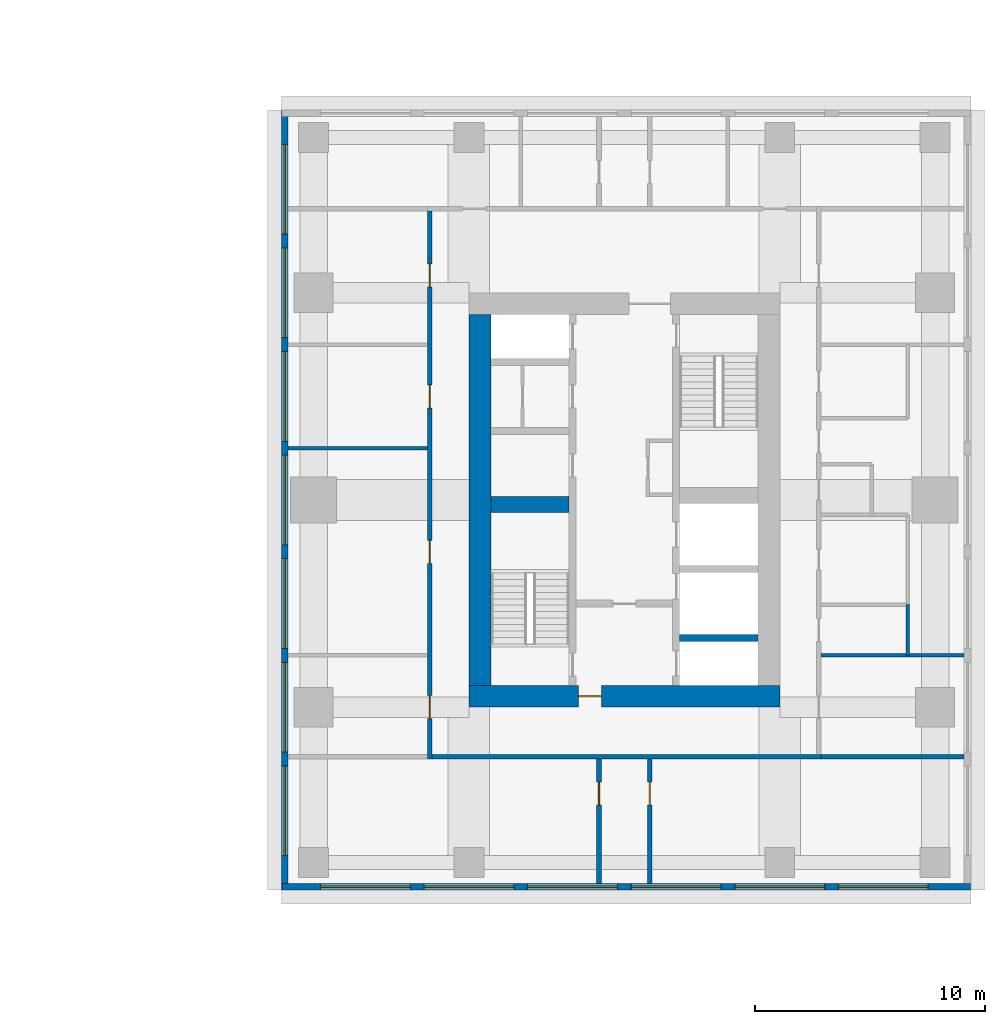
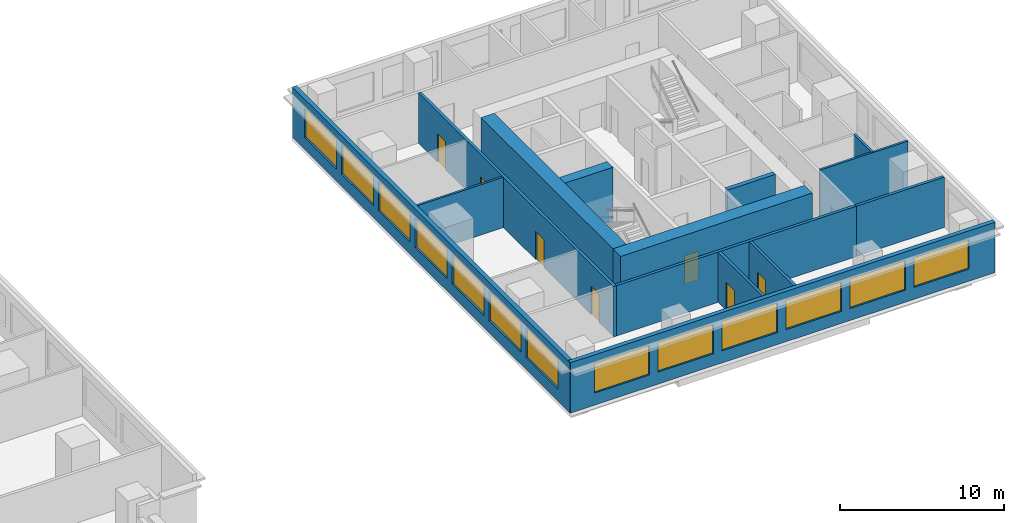
# One storey, part 6 of 11: 14 walls, 13 windows, 7 doors, 20 openings.
"""IFC4 building model written with IfcOpenShell, lengths in metres."""

from ifc_helpers import new_model, si_unit, direction, frame, frame_2d, origin, place, context, subcontext, project, spatial, rectangle, extrude, material, layer, layer_set, type_object, element, fill, save


model = new_model("IFC4")

# Units and contexts
model_context = context("Model", 3, precision=1e-05, world=origin(), true_north=direction((0.0, 1.0)))
body_context = subcontext(model_context, "Body", "Model", "MODEL_VIEW")
ifc_project = project(units=[si_unit("LENGTHUNIT", "METRE"), si_unit("AREAUNIT", "SQUARE_METRE"), si_unit("VOLUMEUNIT", "CUBIC_METRE"), si_unit("PLANEANGLEUNIT", "RADIAN"), si_unit("MASSUNIT", "GRAM", prefix="KILO")], contexts=[model_context])

# Site, building, storey
site_placement = place(None, origin())
site = spatial("IfcSite", under=ifc_project, at=site_placement, CompositionType="ELEMENT")
building_placement = place(site_placement, origin())
building = spatial("IfcBuilding", under=site, at=building_placement, Name="Namib Vertical Campus", CompositionType="ELEMENT")
storey_placement = place(building_placement, frame((0.0, 0.0, 221.0)))
storey = spatial("IfcBuildingStorey", under=building, at=storey_placement, Name="L52", CompositionType="ELEMENT", Elevation=221.0)

# Walls
ifc_material_1 = material(Name="Concrete C60/75", Category="concrete")
ifc_layer_1 = layer(ifc_material_1, 0.300048828125)
ifc_layer_set_1 = layer_set([ifc_layer_1], Name="Concrete C60/75")
wall_type_1 = type_object("IfcWallType", Name="Core inner wall 300", PredefinedType="SHEAR", material=ifc_layer_set_1)
wall_1_placement = place(storey_placement, frame((83.39990234375, 14.25, 0.0), z_axis=(0.0, 0.0, 1.0), x_axis=(1.0, 0.0, 0.0)))
element("IfcWall", 1, at=wall_1_placement, inside=storey, type_object=wall_type_1, Name="Core inner wall B L52 W5", PredefinedType="SHEAR", context=body_context, shape_type="SweptSolid", body=[
    extrude(rectangle(XDim=3.400146484375, YDim=0.300048828125, at=frame_2d((1.7001953125, 0.0))), origin(), (0.0, 0.0, 1.0), 4.0),
])
ifc_material_2 = material(Name="Concrete C60/75", Category="concrete")
ifc_layer_2 = layer(ifc_material_2, 0.699951171875)
ifc_layer_set_2 = layer_set([ifc_layer_2], Name="Concrete C60/75")
wall_type_2 = type_object("IfcWallType", Name="Core shear wall 700", PredefinedType="SHEAR", material=ifc_layer_set_2)
wall_2_placement = place(storey_placement, frame((75.199951171875, 20.050048828125, 0.0), z_axis=(0.0, 0.0, 1.0), x_axis=(1.0, 0.0, 0.0)))
element("IfcWall", 2, at=wall_2_placement, inside=storey, type_object=wall_type_2, Name="Core shear wall B L52 W3", PredefinedType="SHEAR", context=body_context, shape_type="SweptSolid", body=[
    extrude(rectangle(XDim=3.400146484375, YDim=0.699951171875, at=frame_2d((1.7001953125, 0.0))), origin(), (0.0, 0.0, 1.0), 4.0),
])

# Wall, opening, door
ifc_material_3 = material(Name="Concrete C60/75", Category="concrete")
ifc_layer_3 = layer(ifc_material_3, 0.949951171875)
ifc_layer_set_3 = layer_set([ifc_layer_3], Name="Concrete C60/75")
wall_type_3 = type_object("IfcWallType", Name="Core wall 950", PredefinedType="SHEAR", material=ifc_layer_set_3)
wall_3_placement = place(storey_placement, frame((74.25, 11.72509765625, 0.0), z_axis=(0.0, 0.0, 1.0), x_axis=(1.0, 0.0, 0.0)))
wall_3 = element("IfcWall", 3, at=wall_3_placement, inside=storey, type_object=wall_type_3, Name="Core wall B L52 1", PredefinedType="SHEAR", context=body_context, shape_type="SweptSolid", body=[
    extrude(rectangle(XDim=13.5, YDim=0.949951171875, at=frame_2d((6.75, 0.0))), origin(), (0.0, 0.0, 1.0), 4.0),
])
opening_1_placement = place(wall_3_placement, frame((4.75, 0.0, 0.0)))
opening_1 = element("IfcOpeningElement", 4, at=opening_1_placement, cuts=wall_3, Name="Opening FD5", PredefinedType="OPENING", context=body_context, shape_type="SweptSolid", body=[
    extrude(rectangle(XDim=1.0, YDim=2.10009765625, at=frame_2d((0.5, 1.050048828125))), frame((0.0, 0.48486328125, 0.0), z_axis=(0.0, -1.0, 0.0), x_axis=(1.0, 0.0, 0.0)), (0.0, 0.0, 1.0), 0.969970703125),
])
ifc_material_4 = material(Name="Steel fire door", Category="steel")
door_type_1 = type_object("IfcDoorType", Name="Fire door 1000x2100 120 min", OperationType="SINGLE_SWING_RIGHT", PredefinedType="DOOR", material=ifc_material_4)
door_1_placement = place(opening_1_placement, origin())
door_1 = element("IfcDoor", 5, at=door_1_placement, inside=storey, type_object=door_type_1, Name="Firefighting lobby door FD5 B L52", OperationType="SINGLE_SWING_LEFT", OverallHeight=2.10009765625, OverallWidth=1.0, PredefinedType="DOOR", context=body_context, shape_type="SweptSolid", body=[
    extrude(rectangle(XDim=1.0, YDim=2.10009765625, at=frame_2d((0.5, 1.050048828125))), frame((0.0, 0.02490234375, 0.0), z_axis=(0.0, -1.0, 0.0), x_axis=(1.0, 0.0, 0.0)), (0.0, 0.0, 1.0), 0.050048828125),
])
fill(opening_1, door_1)

# Walls
wall_4_placement = place(storey_placement, frame((74.72509765625, 28.300048828125, 0.0), z_axis=(0.0, 0.0, 1.0), x_axis=(0.0, -1.0, 0.0)))
element("IfcWall", 6, at=wall_4_placement, inside=storey, type_object=wall_type_3, Name="Core wall B L52 4", PredefinedType="SHEAR", context=body_context, shape_type="SweptSolid", body=[
    extrude(rectangle(XDim=16.10009765625, YDim=0.949951171875, at=frame_2d((8.050048828125, 0.0))), origin(), (0.0, 0.0, 1.0), 4.0),
])
ifc_material_5 = material(Name="Concrete masonry", Category="masonry")
ifc_layer_4 = layer(ifc_material_5, 0.199951171875)
ifc_layer_set_4 = layer_set([ifc_layer_4], Name="Corridor wall 200")
wall_type_4 = type_object("IfcWallType", Name="Corridor wall 200", PredefinedType="SOLIDWALL", material=ifc_layer_set_4)
wall_5_placement = place(storey_placement, frame((72.64990234375, 9.10009765625, 0.0), z_axis=(0.0, 0.0, 1.0), x_axis=(1.0, 0.0, 0.0)))
element("IfcWall", 7, at=wall_5_placement, inside=storey, type_object=wall_type_4, Name="Corridor wall B L52 CS", PredefinedType="SOLIDWALL", context=body_context, shape_type="SweptSolid", body=[
    extrude(rectangle(XDim=16.900146484375, YDim=0.199951171875, at=frame_2d((8.4501953125, 0.0))), origin(), (0.0, 0.0, 1.0), 3.75),
])

# Wall, openings, doors
wall_6_placement = place(storey_placement, frame((72.550048828125, 32.800048828125, 0.0), z_axis=(0.0, 0.0, 1.0), x_axis=(0.0, -1.0, 0.0)))
wall_6 = element("IfcWall", 8, at=wall_6_placement, inside=storey, type_object=wall_type_4, Name="Corridor wall B L52 CW", PredefinedType="SOLIDWALL", context=body_context, shape_type="SweptSolid", body=[
    extrude(rectangle(XDim=23.800048828125, YDim=0.199951171875, at=frame_2d((11.89990234375, 0.0))), origin(), (0.0, 0.0, 1.0), 3.75),
])
opening_2_placement = place(wall_6_placement, frame((21.050048828125, 0.0, 0.0)))
opening_2 = element("IfcOpeningElement", 9, at=opening_2_placement, cuts=wall_6, Name="Opening CD1", PredefinedType="OPENING", context=body_context, shape_type="SweptSolid", body=[
    extrude(rectangle(XDim=1.0, YDim=2.10009765625, at=frame_2d((0.5, 1.050048828125))), frame((0.0, 0.10986328125, 0.0), z_axis=(0.0, -1.0, 0.0), x_axis=(1.0, 0.0, 0.0)), (0.0, 0.0, 1.0), 0.219970703125),
])
opening_3_placement = place(wall_6_placement, frame((14.300048828125, 0.0, 0.0)))
opening_3 = element("IfcOpeningElement", 10, at=opening_3_placement, cuts=wall_6, Name="Opening CD1", PredefinedType="OPENING", context=body_context, shape_type="SweptSolid", body=[
    extrude(rectangle(XDim=1.0, YDim=2.10009765625, at=frame_2d((0.5, 1.050048828125))), frame((0.0, 0.10986328125, 0.0), z_axis=(0.0, -1.0, 0.0), x_axis=(1.0, 0.0, 0.0)), (0.0, 0.0, 1.0), 0.219970703125),
])
opening_4_placement = place(wall_6_placement, frame((7.550048828125, 0.0, 0.0)))
opening_4 = element("IfcOpeningElement", 11, at=opening_4_placement, cuts=wall_6, Name="Opening CD1", PredefinedType="OPENING", context=body_context, shape_type="SweptSolid", body=[
    extrude(rectangle(XDim=1.0, YDim=2.10009765625, at=frame_2d((0.5, 1.050048828125))), frame((0.0, 0.10986328125, 0.0), z_axis=(0.0, -1.0, 0.0), x_axis=(1.0, 0.0, 0.0)), (0.0, 0.0, 1.0), 0.219970703125),
])
opening_5_placement = place(wall_6_placement, frame((2.300048828125, 0.0, 0.0)))
opening_5 = element("IfcOpeningElement", 12, at=opening_5_placement, cuts=wall_6, Name="Opening CD1", PredefinedType="OPENING", context=body_context, shape_type="SweptSolid", body=[
    extrude(rectangle(XDim=1.0, YDim=2.10009765625, at=frame_2d((0.5, 1.050048828125))), frame((0.0, 0.10986328125, 0.0), z_axis=(0.0, -1.0, 0.0), x_axis=(1.0, 0.0, 0.0)), (0.0, 0.0, 1.0), 0.219970703125),
])
ifc_material_6 = material(Name="Timber fire door leaf", Category="wood")
door_type_2 = type_object("IfcDoorType", Name="Corridor door 1000x2100 20 min", OperationType="SINGLE_SWING_LEFT", PredefinedType="DOOR", material=ifc_material_6)
door_2_placement = place(opening_2_placement, frame((1.0, 0.0, 0.0), z_axis=(0.0, 0.0, 1.0), x_axis=(-1.0, 0.0, 0.0)))
door_2 = element("IfcDoor", 13, at=door_2_placement, inside=storey, type_object=door_type_2, Name="Door CD1 B52-14", OperationType="SINGLE_SWING_RIGHT", OverallHeight=2.10009765625, OverallWidth=1.0, PredefinedType="DOOR", context=body_context, shape_type="SweptSolid", body=[
    extrude(rectangle(XDim=1.0, YDim=2.10009765625, at=frame_2d((0.5, 1.050048828125))), frame((0.0, 0.02490234375, 0.0), z_axis=(0.0, -1.0, 0.0), x_axis=(1.0, 0.0, 0.0)), (0.0, 0.0, 1.0), 0.050048828125),
])
fill(opening_2, door_2)
door_3_placement = place(opening_3_placement, frame((1.0, 0.0, 0.0), z_axis=(0.0, 0.0, 1.0), x_axis=(-1.0, 0.0, 0.0)))
door_3 = element("IfcDoor", 14, at=door_3_placement, inside=storey, type_object=door_type_2, Name="Door CD1 B52-15", OperationType="SINGLE_SWING_RIGHT", OverallHeight=2.10009765625, OverallWidth=1.0, PredefinedType="DOOR", context=body_context, shape_type="SweptSolid", body=[
    extrude(rectangle(XDim=1.0, YDim=2.10009765625, at=frame_2d((0.5, 1.050048828125))), frame((0.0, 0.02490234375, 0.0), z_axis=(0.0, -1.0, 0.0), x_axis=(1.0, 0.0, 0.0)), (0.0, 0.0, 1.0), 0.050048828125),
])
fill(opening_3, door_3)
door_4_placement = place(opening_4_placement, frame((1.0, 0.0, 0.0), z_axis=(0.0, 0.0, 1.0), x_axis=(-1.0, 0.0, 0.0)))
door_4 = element("IfcDoor", 15, at=door_4_placement, inside=storey, type_object=door_type_2, Name="Door CD1 B52-16", OperationType="SINGLE_SWING_RIGHT", OverallHeight=2.10009765625, OverallWidth=1.0, PredefinedType="DOOR", context=body_context, shape_type="SweptSolid", body=[
    extrude(rectangle(XDim=1.0, YDim=2.10009765625, at=frame_2d((0.5, 1.050048828125))), frame((0.0, 0.02490234375, 0.0), z_axis=(0.0, -1.0, 0.0), x_axis=(1.0, 0.0, 0.0)), (0.0, 0.0, 1.0), 0.050048828125),
])
fill(opening_4, door_4)
door_5_placement = place(opening_5_placement, frame((1.0, 0.0, 0.0), z_axis=(0.0, 0.0, 1.0), x_axis=(-1.0, 0.0, 0.0)))
door_5 = element("IfcDoor", 16, at=door_5_placement, inside=storey, type_object=door_type_2, Name="Door CD1 B52-17", OperationType="SINGLE_SWING_RIGHT", OverallHeight=2.10009765625, OverallWidth=1.0, PredefinedType="DOOR", context=body_context, shape_type="SweptSolid", body=[
    extrude(rectangle(XDim=1.0, YDim=2.10009765625, at=frame_2d((0.5, 1.050048828125))), frame((0.0, 0.02490234375, 0.0), z_axis=(0.0, -1.0, 0.0), x_axis=(1.0, 0.0, 0.0)), (0.0, 0.0, 1.0), 0.050048828125),
])
fill(opening_5, door_5)

# Wall, opening, door
wall_7_placement = place(storey_placement, frame((79.89990234375, 3.60009765625, 0.0), z_axis=(0.0, 0.0, 1.0), x_axis=(0.0, 1.0, 0.0)))
wall_7 = element("IfcWall", 17, at=wall_7_placement, inside=storey, type_object=wall_type_4, Name="Corridor wall B L52 SPS1", PredefinedType="SOLIDWALL", context=body_context, shape_type="SweptSolid", body=[
    extrude(rectangle(XDim=5.39990234375, YDim=0.199951171875, at=frame_2d((2.699951171875, 0.0))), origin(), (0.0, 0.0, 1.0), 3.75),
])
opening_6_placement = place(wall_7_placement, frame((3.39990234375, 0.0, 0.0)))
opening_6 = element("IfcOpeningElement", 18, at=opening_6_placement, cuts=wall_7, Name="Opening CD1", PredefinedType="OPENING", context=body_context, shape_type="SweptSolid", body=[
    extrude(rectangle(XDim=1.0, YDim=2.10009765625, at=frame_2d((0.5, 1.050048828125))), frame((0.0, 0.10986328125, 0.0), z_axis=(0.0, -1.0, 0.0), x_axis=(1.0, 0.0, 0.0)), (0.0, 0.0, 1.0), 0.219970703125),
])
door_6_placement = place(opening_6_placement, origin())
door_6 = element("IfcDoor", 19, at=door_6_placement, inside=storey, type_object=door_type_2, Name="Door CD1 B52-01", OperationType="SINGLE_SWING_RIGHT", OverallHeight=2.10009765625, OverallWidth=1.0, PredefinedType="DOOR", context=body_context, shape_type="SweptSolid", body=[
    extrude(rectangle(XDim=1.0, YDim=2.10009765625, at=frame_2d((0.5, 1.050048828125))), frame((0.0, 0.02490234375, 0.0), z_axis=(0.0, -1.0, 0.0), x_axis=(1.0, 0.0, 0.0)), (0.0, 0.0, 1.0), 0.050048828125),
])
fill(opening_6, door_6)

wall_8_placement = place(storey_placement, frame((82.10009765625, 9.0, 0.0), z_axis=(0.0, 0.0, 1.0), x_axis=(0.0, -1.0, 0.0)))
wall_8 = element("IfcWall", 20, at=wall_8_placement, inside=storey, type_object=wall_type_4, Name="Corridor wall B L52 SPS2", PredefinedType="SOLIDWALL", context=body_context, shape_type="SweptSolid", body=[
    extrude(rectangle(XDim=5.39990234375, YDim=0.199951171875, at=frame_2d((2.699951171875, 0.0))), origin(), (0.0, 0.0, 1.0), 3.75),
])
opening_7_placement = place(wall_8_placement, frame((1.0, 0.0, 0.0)))
opening_7 = element("IfcOpeningElement", 21, at=opening_7_placement, cuts=wall_8, Name="Opening CD1", PredefinedType="OPENING", context=body_context, shape_type="SweptSolid", body=[
    extrude(rectangle(XDim=1.0, YDim=2.10009765625, at=frame_2d((0.5, 1.050048828125))), frame((0.0, 0.10986328125, 0.0), z_axis=(0.0, -1.0, 0.0), x_axis=(1.0, 0.0, 0.0)), (0.0, 0.0, 1.0), 0.219970703125),
])
door_7_placement = place(opening_7_placement, origin())
door_7 = element("IfcDoor", 22, at=door_7_placement, inside=storey, type_object=door_type_2, Name="Door CD1 B52-02", OperationType="SINGLE_SWING_LEFT", OverallHeight=2.10009765625, OverallWidth=1.0, PredefinedType="DOOR", context=body_context, shape_type="SweptSolid", body=[
    extrude(rectangle(XDim=1.0, YDim=2.10009765625, at=frame_2d((0.5, 1.050048828125))), frame((0.0, 0.02490234375, 0.0), z_axis=(0.0, -1.0, 0.0), x_axis=(1.0, 0.0, 0.0)), (0.0, 0.0, 1.0), 0.050048828125),
])
fill(opening_7, door_7)

# Wall
wall_9_placement = place(storey_placement, frame((89.550048828125, 9.10009765625, 0.0), z_axis=(0.0, 0.0, 1.0), x_axis=(1.0, 0.0, 0.0)))
element("IfcWall", 23, at=wall_9_placement, inside=storey, type_object=wall_type_4, Name="Partition B L52 BSE", PredefinedType="SOLIDWALL", context=body_context, shape_type="SweptSolid", body=[
    extrude(rectangle(XDim=6.199951171875, YDim=0.199951171875, at=frame_2d((3.10009765625, 0.0))), origin(), (0.0, 0.0, 1.0), 3.75),
])

# Wall, openings, windows
ifc_material_7 = material(Name="Concrete C40/50", Category="concrete")
ifc_layer_5 = layer(ifc_material_7, 0.300048828125)
ifc_layer_set_5 = layer_set([ifc_layer_5], Name="Concrete C40/50")
wall_type_5 = type_object("IfcWallType", Name="External wall 300 board-marked concrete", PredefinedType="STANDARD", material=ifc_layer_set_5)
wall_10_placement = place(storey_placement, frame((66.1201171875, 3.449951171875, 0.0), z_axis=(0.0, 0.0, 1.0), x_axis=(1.0, 0.0, 0.0)))
wall_10 = element("IfcWall", 24, at=wall_10_placement, inside=storey, type_object=wall_type_5, Name="External wall L52 F01", PredefinedType="STANDARD", context=body_context, shape_type="SweptSolid", body=[
    extrude(rectangle(XDim=29.909912109375, YDim=0.300048828125, at=frame_2d((14.955078125, 0.0))), origin(), (0.0, 0.0, 1.0), 3.75),
])
opening_8_placement = place(wall_10_placement, frame((1.679931640625, 0.0, 0.89990234375)))
opening_8 = element("IfcOpeningElement", 25, at=opening_8_placement, cuts=wall_10, Name="Opening W1", PredefinedType="OPENING", context=body_context, shape_type="SweptSolid", body=[
    extrude(rectangle(XDim=3.89990234375, YDim=2.199951171875, at=frame_2d((1.949951171875, 1.10009765625))), frame((0.0, 0.159912109375, 0.0), z_axis=(0.0, -1.0, 0.0), x_axis=(1.0, 0.0, 0.0)), (0.0, 0.0, 1.0), 0.320068359375),
])
opening_9_placement = place(wall_10_placement, frame((6.179931640625, 0.0, 0.89990234375)))
opening_9 = element("IfcOpeningElement", 26, at=opening_9_placement, cuts=wall_10, Name="Opening W1", PredefinedType="OPENING", context=body_context, shape_type="SweptSolid", body=[
    extrude(rectangle(XDim=3.89990234375, YDim=2.199951171875, at=frame_2d((1.949951171875, 1.10009765625))), frame((0.0, 0.159912109375, 0.0), z_axis=(0.0, -1.0, 0.0), x_axis=(1.0, 0.0, 0.0)), (0.0, 0.0, 1.0), 0.320068359375),
])
opening_10_placement = place(wall_10_placement, frame((10.679931640625, 0.0, 0.89990234375)))
opening_10 = element("IfcOpeningElement", 27, at=opening_10_placement, cuts=wall_10, Name="Opening W1", PredefinedType="OPENING", context=body_context, shape_type="SweptSolid", body=[
    extrude(rectangle(XDim=3.89990234375, YDim=2.199951171875, at=frame_2d((1.949951171875, 1.10009765625))), frame((0.0, 0.159912109375, 0.0), z_axis=(0.0, -1.0, 0.0), x_axis=(1.0, 0.0, 0.0)), (0.0, 0.0, 1.0), 0.320068359375),
])
opening_11_placement = place(wall_10_placement, frame((15.179931640625, 0.0, 0.89990234375)))
opening_11 = element("IfcOpeningElement", 28, at=opening_11_placement, cuts=wall_10, Name="Opening W1", PredefinedType="OPENING", context=body_context, shape_type="SweptSolid", body=[
    extrude(rectangle(XDim=3.89990234375, YDim=2.199951171875, at=frame_2d((1.949951171875, 1.10009765625))), frame((0.0, 0.159912109375, 0.0), z_axis=(0.0, -1.0, 0.0), x_axis=(1.0, 0.0, 0.0)), (0.0, 0.0, 1.0), 0.320068359375),
])
opening_12_placement = place(wall_10_placement, frame((19.679931640625, 0.0, 0.89990234375)))
opening_12 = element("IfcOpeningElement", 29, at=opening_12_placement, cuts=wall_10, Name="Opening W1", PredefinedType="OPENING", context=body_context, shape_type="SweptSolid", body=[
    extrude(rectangle(XDim=3.89990234375, YDim=2.199951171875, at=frame_2d((1.949951171875, 1.10009765625))), frame((0.0, 0.159912109375, 0.0), z_axis=(0.0, -1.0, 0.0), x_axis=(1.0, 0.0, 0.0)), (0.0, 0.0, 1.0), 0.320068359375),
])
opening_13_placement = place(wall_10_placement, frame((24.179931640625, 0.0, 0.89990234375)))
opening_13 = element("IfcOpeningElement", 30, at=opening_13_placement, cuts=wall_10, Name="Opening W1", PredefinedType="OPENING", context=body_context, shape_type="SweptSolid", body=[
    extrude(rectangle(XDim=3.89990234375, YDim=2.199951171875, at=frame_2d((1.949951171875, 1.10009765625))), frame((0.0, 0.159912109375, 0.0), z_axis=(0.0, -1.0, 0.0), x_axis=(1.0, 0.0, 0.0)), (0.0, 0.0, 1.0), 0.320068359375),
])
ifc_material_8 = material(Name="Dark tinted glass in black aluminium frame", Category="aluminium")
window_type = type_object("IfcWindowType", Name="Ribbon window 3900x2200", PartitioningType="SINGLE_PANEL", PredefinedType="WINDOW", material=ifc_material_8)
window_1_placement = place(opening_8_placement, origin())
window_1 = element("IfcWindow", 31, at=window_1_placement, inside=storey, type_object=window_type, Name="Window W1 L52 F01-1", OverallHeight=2.199951171875, OverallWidth=3.89990234375, PartitioningType="SINGLE_PANEL", PredefinedType="WINDOW", context=body_context, shape_type="SweptSolid", body=[
    extrude(rectangle(XDim=3.89990234375, YDim=2.199951171875, at=frame_2d((1.949951171875, 1.10009765625))), frame((0.0, 0.030029296875, 0.0), z_axis=(0.0, -1.0, 0.0), x_axis=(1.0, 0.0, 0.0)), (0.0, 0.0, 1.0), 0.06005859375),
])
fill(opening_8, window_1)
window_2_placement = place(opening_9_placement, origin())
window_2 = element("IfcWindow", 32, at=window_2_placement, inside=storey, type_object=window_type, Name="Window W1 L52 F01-2", OverallHeight=2.199951171875, OverallWidth=3.89990234375, PartitioningType="SINGLE_PANEL", PredefinedType="WINDOW", context=body_context, shape_type="SweptSolid", body=[
    extrude(rectangle(XDim=3.89990234375, YDim=2.199951171875, at=frame_2d((1.949951171875, 1.10009765625))), frame((0.0, 0.030029296875, 0.0), z_axis=(0.0, -1.0, 0.0), x_axis=(1.0, 0.0, 0.0)), (0.0, 0.0, 1.0), 0.06005859375),
])
fill(opening_9, window_2)
window_3_placement = place(opening_10_placement, origin())
window_3 = element("IfcWindow", 33, at=window_3_placement, inside=storey, type_object=window_type, Name="Window W1 L52 F01-3", OverallHeight=2.199951171875, OverallWidth=3.89990234375, PartitioningType="SINGLE_PANEL", PredefinedType="WINDOW", context=body_context, shape_type="SweptSolid", body=[
    extrude(rectangle(XDim=3.89990234375, YDim=2.199951171875, at=frame_2d((1.949951171875, 1.10009765625))), frame((0.0, 0.030029296875, 0.0), z_axis=(0.0, -1.0, 0.0), x_axis=(1.0, 0.0, 0.0)), (0.0, 0.0, 1.0), 0.06005859375),
])
fill(opening_10, window_3)
window_4_placement = place(opening_11_placement, origin())
window_4 = element("IfcWindow", 34, at=window_4_placement, inside=storey, type_object=window_type, Name="Window W1 L52 F01-4", OverallHeight=2.199951171875, OverallWidth=3.89990234375, PartitioningType="SINGLE_PANEL", PredefinedType="WINDOW", context=body_context, shape_type="SweptSolid", body=[
    extrude(rectangle(XDim=3.89990234375, YDim=2.199951171875, at=frame_2d((1.949951171875, 1.10009765625))), frame((0.0, 0.030029296875, 0.0), z_axis=(0.0, -1.0, 0.0), x_axis=(1.0, 0.0, 0.0)), (0.0, 0.0, 1.0), 0.06005859375),
])
fill(opening_11, window_4)
window_5_placement = place(opening_12_placement, origin())
window_5 = element("IfcWindow", 35, at=window_5_placement, inside=storey, type_object=window_type, Name="Window W1 L52 F01-5", OverallHeight=2.199951171875, OverallWidth=3.89990234375, PartitioningType="SINGLE_PANEL", PredefinedType="WINDOW", context=body_context, shape_type="SweptSolid", body=[
    extrude(rectangle(XDim=3.89990234375, YDim=2.199951171875, at=frame_2d((1.949951171875, 1.10009765625))), frame((0.0, 0.030029296875, 0.0), z_axis=(0.0, -1.0, 0.0), x_axis=(1.0, 0.0, 0.0)), (0.0, 0.0, 1.0), 0.06005859375),
])
fill(opening_12, window_5)
window_6_placement = place(opening_13_placement, origin())
window_6 = element("IfcWindow", 36, at=window_6_placement, inside=storey, type_object=window_type, Name="Window W1 L52 F01-6", OverallHeight=2.199951171875, OverallWidth=3.89990234375, PartitioningType="SINGLE_PANEL", PredefinedType="WINDOW", context=body_context, shape_type="SweptSolid", body=[
    extrude(rectangle(XDim=3.89990234375, YDim=2.199951171875, at=frame_2d((1.949951171875, 1.10009765625))), frame((0.0, 0.030029296875, 0.0), z_axis=(0.0, -1.0, 0.0), x_axis=(1.0, 0.0, 0.0)), (0.0, 0.0, 1.0), 0.06005859375),
])
fill(opening_13, window_6)

wall_11_placement = place(storey_placement, frame((66.25, 37.179931640625, 0.0), z_axis=(0.0, 0.0, 1.0), x_axis=(0.0, -1.0, 0.0)))
wall_11 = element("IfcWall", 37, at=wall_11_placement, inside=storey, type_object=wall_type_5, Name="External wall L52 F04", PredefinedType="STANDARD", context=body_context, shape_type="SweptSolid", body=[
    extrude(rectangle(XDim=33.85986328125, YDim=0.300048828125, at=frame_2d((16.929931640625, 0.0))), origin(), (0.0, 0.0, 1.0), 3.75),
])
opening_14_placement = place(wall_11_placement, frame((28.47998046875, 0.0, 0.89990234375)))
opening_14 = element("IfcOpeningElement", 38, at=opening_14_placement, cuts=wall_11, Name="Opening W1", PredefinedType="OPENING", context=body_context, shape_type="SweptSolid", body=[
    extrude(rectangle(XDim=3.89990234375, YDim=2.199951171875, at=frame_2d((1.949951171875, 1.10009765625))), frame((0.0, 0.159912109375, 0.0), z_axis=(0.0, -1.0, 0.0), x_axis=(1.0, 0.0, 0.0)), (0.0, 0.0, 1.0), 0.320068359375),
])
opening_15_placement = place(wall_11_placement, frame((23.97998046875, 0.0, 0.89990234375)))
opening_15 = element("IfcOpeningElement", 39, at=opening_15_placement, cuts=wall_11, Name="Opening W1", PredefinedType="OPENING", context=body_context, shape_type="SweptSolid", body=[
    extrude(rectangle(XDim=3.89990234375, YDim=2.199951171875, at=frame_2d((1.949951171875, 1.10009765625))), frame((0.0, 0.159912109375, 0.0), z_axis=(0.0, -1.0, 0.0), x_axis=(1.0, 0.0, 0.0)), (0.0, 0.0, 1.0), 0.320068359375),
])
opening_16_placement = place(wall_11_placement, frame((19.47998046875, 0.0, 0.89990234375)))
opening_16 = element("IfcOpeningElement", 40, at=opening_16_placement, cuts=wall_11, Name="Opening W1", PredefinedType="OPENING", context=body_context, shape_type="SweptSolid", body=[
    extrude(rectangle(XDim=3.89990234375, YDim=2.199951171875, at=frame_2d((1.949951171875, 1.10009765625))), frame((0.0, 0.159912109375, 0.0), z_axis=(0.0, -1.0, 0.0), x_axis=(1.0, 0.0, 0.0)), (0.0, 0.0, 1.0), 0.320068359375),
])
opening_17_placement = place(wall_11_placement, frame((14.97998046875, 0.0, 0.89990234375)))
opening_17 = element("IfcOpeningElement", 41, at=opening_17_placement, cuts=wall_11, Name="Opening W1", PredefinedType="OPENING", context=body_context, shape_type="SweptSolid", body=[
    extrude(rectangle(XDim=3.89990234375, YDim=2.199951171875, at=frame_2d((1.949951171875, 1.10009765625))), frame((0.0, 0.159912109375, 0.0), z_axis=(0.0, -1.0, 0.0), x_axis=(1.0, 0.0, 0.0)), (0.0, 0.0, 1.0), 0.320068359375),
])
opening_18_placement = place(wall_11_placement, frame((10.47998046875, 0.0, 0.89990234375)))
opening_18 = element("IfcOpeningElement", 42, at=opening_18_placement, cuts=wall_11, Name="Opening W1", PredefinedType="OPENING", context=body_context, shape_type="SweptSolid", body=[
    extrude(rectangle(XDim=3.89990234375, YDim=2.199951171875, at=frame_2d((1.949951171875, 1.10009765625))), frame((0.0, 0.159912109375, 0.0), z_axis=(0.0, -1.0, 0.0), x_axis=(1.0, 0.0, 0.0)), (0.0, 0.0, 1.0), 0.320068359375),
])
opening_19_placement = place(wall_11_placement, frame((5.97998046875, 0.0, 0.89990234375)))
opening_19 = element("IfcOpeningElement", 43, at=opening_19_placement, cuts=wall_11, Name="Opening W1", PredefinedType="OPENING", context=body_context, shape_type="SweptSolid", body=[
    extrude(rectangle(XDim=3.89990234375, YDim=2.199951171875, at=frame_2d((1.949951171875, 1.10009765625))), frame((0.0, 0.159912109375, 0.0), z_axis=(0.0, -1.0, 0.0), x_axis=(1.0, 0.0, 0.0)), (0.0, 0.0, 1.0), 0.320068359375),
])
opening_20_placement = place(wall_11_placement, frame((1.47998046875, 0.0, 0.89990234375)))
opening_20 = element("IfcOpeningElement", 44, at=opening_20_placement, cuts=wall_11, Name="Opening W1", PredefinedType="OPENING", context=body_context, shape_type="SweptSolid", body=[
    extrude(rectangle(XDim=3.89990234375, YDim=2.199951171875, at=frame_2d((1.949951171875, 1.10009765625))), frame((0.0, 0.159912109375, 0.0), z_axis=(0.0, -1.0, 0.0), x_axis=(1.0, 0.0, 0.0)), (0.0, 0.0, 1.0), 0.320068359375),
])
window_7_placement = place(opening_14_placement, origin())
window_7 = element("IfcWindow", 45, at=window_7_placement, inside=storey, type_object=window_type, Name="Window W1 L52 F04-1", OverallHeight=2.199951171875, OverallWidth=3.89990234375, PartitioningType="SINGLE_PANEL", PredefinedType="WINDOW", context=body_context, shape_type="SweptSolid", body=[
    extrude(rectangle(XDim=3.89990234375, YDim=2.199951171875, at=frame_2d((1.949951171875, 1.10009765625))), frame((0.0, 0.030029296875, 0.0), z_axis=(0.0, -1.0, 0.0), x_axis=(1.0, 0.0, 0.0)), (0.0, 0.0, 1.0), 0.06005859375),
])
fill(opening_14, window_7)
window_8_placement = place(opening_15_placement, origin())
window_8 = element("IfcWindow", 46, at=window_8_placement, inside=storey, type_object=window_type, Name="Window W1 L52 F04-2", OverallHeight=2.199951171875, OverallWidth=3.89990234375, PartitioningType="SINGLE_PANEL", PredefinedType="WINDOW", context=body_context, shape_type="SweptSolid", body=[
    extrude(rectangle(XDim=3.89990234375, YDim=2.199951171875, at=frame_2d((1.949951171875, 1.10009765625))), frame((0.0, 0.030029296875, 0.0), z_axis=(0.0, -1.0, 0.0), x_axis=(1.0, 0.0, 0.0)), (0.0, 0.0, 1.0), 0.06005859375),
])
fill(opening_15, window_8)
window_9_placement = place(opening_16_placement, origin())
window_9 = element("IfcWindow", 47, at=window_9_placement, inside=storey, type_object=window_type, Name="Window W1 L52 F04-3", OverallHeight=2.199951171875, OverallWidth=3.89990234375, PartitioningType="SINGLE_PANEL", PredefinedType="WINDOW", context=body_context, shape_type="SweptSolid", body=[
    extrude(rectangle(XDim=3.89990234375, YDim=2.199951171875, at=frame_2d((1.949951171875, 1.10009765625))), frame((0.0, 0.030029296875, 0.0), z_axis=(0.0, -1.0, 0.0), x_axis=(1.0, 0.0, 0.0)), (0.0, 0.0, 1.0), 0.06005859375),
])
fill(opening_16, window_9)
window_10_placement = place(opening_17_placement, origin())
window_10 = element("IfcWindow", 48, at=window_10_placement, inside=storey, type_object=window_type, Name="Window W1 L52 F04-4", OverallHeight=2.199951171875, OverallWidth=3.89990234375, PartitioningType="SINGLE_PANEL", PredefinedType="WINDOW", context=body_context, shape_type="SweptSolid", body=[
    extrude(rectangle(XDim=3.89990234375, YDim=2.199951171875, at=frame_2d((1.949951171875, 1.10009765625))), frame((0.0, 0.030029296875, 0.0), z_axis=(0.0, -1.0, 0.0), x_axis=(1.0, 0.0, 0.0)), (0.0, 0.0, 1.0), 0.06005859375),
])
fill(opening_17, window_10)
window_11_placement = place(opening_18_placement, origin())
window_11 = element("IfcWindow", 49, at=window_11_placement, inside=storey, type_object=window_type, Name="Window W1 L52 F04-5", OverallHeight=2.199951171875, OverallWidth=3.89990234375, PartitioningType="SINGLE_PANEL", PredefinedType="WINDOW", context=body_context, shape_type="SweptSolid", body=[
    extrude(rectangle(XDim=3.89990234375, YDim=2.199951171875, at=frame_2d((1.949951171875, 1.10009765625))), frame((0.0, 0.030029296875, 0.0), z_axis=(0.0, -1.0, 0.0), x_axis=(1.0, 0.0, 0.0)), (0.0, 0.0, 1.0), 0.06005859375),
])
fill(opening_18, window_11)
window_12_placement = place(opening_19_placement, origin())
window_12 = element("IfcWindow", 50, at=window_12_placement, inside=storey, type_object=window_type, Name="Window W1 L52 F04-6", OverallHeight=2.199951171875, OverallWidth=3.89990234375, PartitioningType="SINGLE_PANEL", PredefinedType="WINDOW", context=body_context, shape_type="SweptSolid", body=[
    extrude(rectangle(XDim=3.89990234375, YDim=2.199951171875, at=frame_2d((1.949951171875, 1.10009765625))), frame((0.0, 0.030029296875, 0.0), z_axis=(0.0, -1.0, 0.0), x_axis=(1.0, 0.0, 0.0)), (0.0, 0.0, 1.0), 0.06005859375),
])
fill(opening_19, window_12)
window_13_placement = place(opening_20_placement, origin())
window_13 = element("IfcWindow", 51, at=window_13_placement, inside=storey, type_object=window_type, Name="Window W1 L52 F04-7", OverallHeight=2.199951171875, OverallWidth=3.89990234375, PartitioningType="SINGLE_PANEL", PredefinedType="WINDOW", context=body_context, shape_type="SweptSolid", body=[
    extrude(rectangle(XDim=3.89990234375, YDim=2.199951171875, at=frame_2d((1.949951171875, 1.10009765625))), frame((0.0, 0.030029296875, 0.0), z_axis=(0.0, -1.0, 0.0), x_axis=(1.0, 0.0, 0.0)), (0.0, 0.0, 1.0), 0.06005859375),
])
fill(opening_20, window_13)

# Walls
ifc_material_9 = material(Name="Gypsum board on steel studs", Category="steel")
ifc_layer_6 = layer(ifc_material_9, 0.14990234375)
ifc_layer_set_6 = layer_set([ifc_layer_6], Name="Gypsum board on steel studs")
wall_type_6 = type_object("IfcWallType", Name="Partition 150", PredefinedType="PARTITIONING", material=ifc_layer_set_6)
wall_12_placement = place(storey_placement, frame((89.550048828125, 13.5, 0.0), z_axis=(0.0, 0.0, 1.0), x_axis=(1.0, 0.0, 0.0)))
element("IfcWall", 52, at=wall_12_placement, inside=storey, type_object=wall_type_6, Name="Partition B L52 PE1", PredefinedType="PARTITIONING", context=body_context, shape_type="SweptSolid", body=[
    extrude(rectangle(XDim=6.199951171875, YDim=0.14990234375, at=frame_2d((3.10009765625, 0.0))), origin(), (0.0, 0.0, 1.0), 3.75),
])
wall_13_placement = place(storey_placement, frame((66.39990234375, 22.5, 0.0), z_axis=(0.0, 0.0, 1.0), x_axis=(1.0, 0.0, 0.0)))
element("IfcWall", 53, at=wall_13_placement, inside=storey, type_object=wall_type_6, Name="Partition B L52 PW2", PredefinedType="PARTITIONING", context=body_context, shape_type="SweptSolid", body=[
    extrude(rectangle(XDim=6.050048828125, YDim=0.14990234375, at=frame_2d((3.02490234375, 0.0))), origin(), (0.0, 0.0, 1.0), 3.75),
])
wall_14_placement = place(storey_placement, frame((93.300048828125, 13.5, 0.0), z_axis=(0.0, 0.0, 1.0), x_axis=(0.0, 1.0, 0.0)))
element("IfcWall", 54, at=wall_14_placement, inside=storey, type_object=wall_type_6, Name="Partition B L52 WB1", PredefinedType="PARTITIONING", context=body_context, shape_type="SweptSolid", body=[
    extrude(rectangle(XDim=2.199951171875, YDim=0.14990234375, at=frame_2d((1.10009765625, 0.0))), origin(), (0.0, 0.0, 1.0), 3.75),
])

save(model, "model.ifc")
